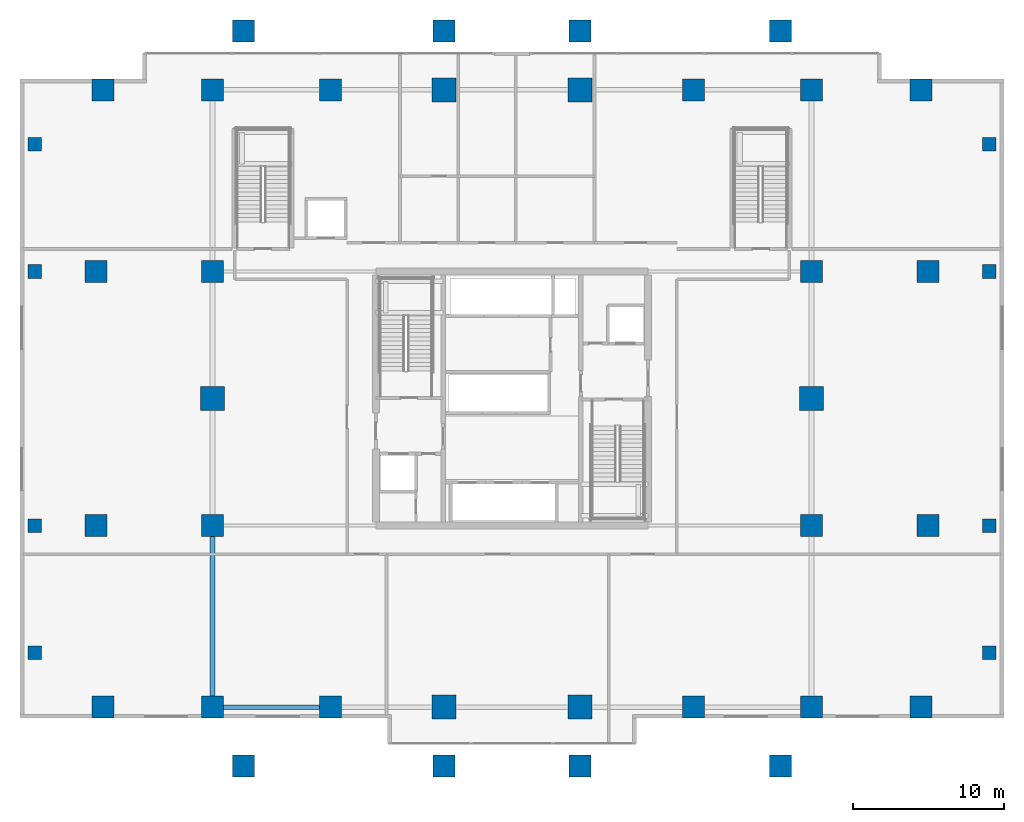
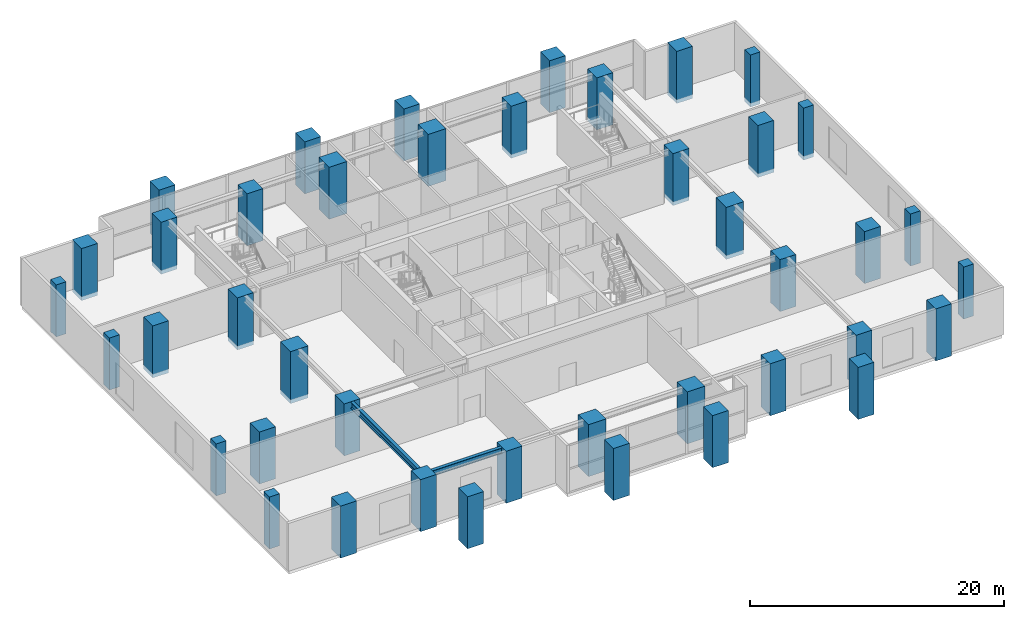
# One storey, part 1 of 20: 42 columns, 2 beams.
"""IFC4 building model written with IfcOpenShell, lengths in metres."""

from ifc_helpers import new_model, si_unit, direction, frame, origin, origin_2d, place, context, subcontext, project, spatial, rectangle, i_section, extrude, source, transform, mapped, material, material_profile, profile_set, type_object, element, save


model = new_model("IFC4")

# Units and contexts
model_context = context("Model", 3, precision=1e-05, world=origin(), true_north=direction((0.0, 1.0)))
body_context = subcontext(model_context, "Body", "Model", "MODEL_VIEW")
ifc_project = project(units=[si_unit("LENGTHUNIT", "METRE"), si_unit("AREAUNIT", "SQUARE_METRE"), si_unit("VOLUMEUNIT", "CUBIC_METRE"), si_unit("PLANEANGLEUNIT", "RADIAN"), si_unit("MASSUNIT", "GRAM", prefix="KILO")], contexts=[model_context])

# Site, building, storey
site_placement = place(None, origin())
site = spatial("IfcSite", under=ifc_project, at=site_placement, CompositionType="ELEMENT")
building_placement = place(site_placement, origin())
building = spatial("IfcBuilding", under=site, at=building_placement, Name="Serunith Strait Residences", CompositionType="ELEMENT")
storey_placement = place(building_placement, frame((0.0, 0.0, 5.5)))
storey = spatial("IfcBuildingStorey", under=building, at=storey_placement, Name="L01", CompositionType="ELEMENT", Elevation=5.5)

# Columns
ifc_material_1 = material(Name="Concrete C70/85", Category="concrete")
ifc_material_profile_1 = material_profile(ifc_material_1, rectangle(XDim=0.89990234375, YDim=0.89990234375, at=origin_2d()), Name="RC 900x900")
ifc_profile_set_1 = profile_set([ifc_material_profile_1], Name="Concrete C70/85")
column_type_1 = type_object("IfcColumnType", Name="COL-RC-900", PredefinedType="COLUMN", material=ifc_profile_set_1)
shared_shape_1 = source(origin(), body_context, "Body", "SweptSolid", [
    extrude(rectangle(XDim=0.89990234375, YDim=0.89990234375, at=origin_2d()), origin(), (0.0, 0.0, 1.0), 5.0),
])
for number, where, z_axis, x_axis, name in (
    (1, (0.85009765625, 8.39990234375, -0.3798828125), (0.0, 0.0, 1.0), (1.0, 0.0, 0.0), "L01 Podium Column PC-W1"),
    (2, (0.85009765625, 16.800048828125, -0.3798828125), (0.0, 0.0, 1.0), (1.0, 0.0, 0.0), "L01 Podium Column PC-W2"),
    (3, (0.85009765625, 33.60009765625, -0.3798828125), (0.0, 0.0, 1.0), (1.0, 0.0, 0.0), "L01 Podium Column PC-W3"),
    (4, (0.85009765625, 42.0, -0.3798828125), (0.0, 0.0, 1.0), (1.0, 0.0, 0.0), "L01 Podium Column PC-W4"),
    (5, (63.949951171875, 8.39990234375, -0.3798828125), (0.0, 0.0, 1.0), (1.0, 0.0, 0.0), "L01 Podium Column PC-E1"),
    (6, (63.949951171875, 16.800048828125, -0.3798828125), (0.0, 0.0, 1.0), (1.0, 0.0, 0.0), "L01 Podium Column PC-E2"),
    (7, (63.949951171875, 33.60009765625, -0.3798828125), (0.0, 0.0, 1.0), (1.0, 0.0, 0.0), "L01 Podium Column PC-E3"),
    (8, (63.949951171875, 42.0, -0.3798828125), (0.0, 0.0, 1.0), (1.0, 0.0, 0.0), "L01 Podium Column PC-E4"),
):
    element("IfcColumn", number, at=place(storey_placement, frame(where, z_axis=z_axis, x_axis=x_axis)), inside=storey, type_object=column_type_1, Name=name, PredefinedType="COLUMN", context=body_context, shape_type="MappedRepresentation", body=[
        mapped(shared_shape_1, transform((0.0, 0.0, 0.0), scale=1.0)),
    ])
ifc_material_2 = material(Name="Concrete C90/105", Category="concrete")
ifc_material_profile_2 = material_profile(ifc_material_2, rectangle(XDim=1.449951171875, YDim=1.449951171875, at=origin_2d()), Name="RC 1450x1450")
ifc_profile_set_2 = profile_set([ifc_material_profile_2], Name="Concrete C90/105")
column_type_2 = type_object("IfcColumnType", Name="COL-RC-1450", PredefinedType="COLUMN", material=ifc_profile_set_2)
shared_shape_2 = source(origin(), body_context, "Body", "SweptSolid", [
    extrude(rectangle(XDim=1.449951171875, YDim=1.449951171875, at=origin_2d()), origin(), (0.0, 0.0, 1.0), 5.0),
])
for number, where, z_axis, x_axis, name in (
    (9, (12.60009765625, 4.800048828125, -0.3798828125), (0.0, 0.0, 1.0), (1.0, 0.0, 0.0), "L01 Podium Column PC-S1"),
    (10, (20.39990234375, 4.800048828125, -0.3798828125), (0.0, 0.0, 1.0), (1.0, 0.0, 0.0), "L01 Podium Column PC-S2"),
    (11, (44.39990234375, 4.800048828125, -0.3798828125), (0.0, 0.0, 1.0), (1.0, 0.0, 0.0), "L01 Podium Column PC-S5"),
    (12, (52.199951171875, 4.800048828125, -0.3798828125), (0.0, 0.0, 1.0), (1.0, 0.0, 0.0), "L01 Podium Column PC-S6"),
    (13, (12.60009765625, 45.60009765625, -0.3798828125), (0.0, 0.0, 1.0), (1.0, 0.0, 0.0), "L01 Podium Column PC-N1"),
    (14, (20.39990234375, 45.60009765625, -0.3798828125), (0.0, 0.0, 1.0), (1.0, 0.0, 0.0), "L01 Podium Column PC-N2"),
    (15, (44.39990234375, 45.60009765625, -0.3798828125), (0.0, 0.0, 1.0), (1.0, 0.0, 0.0), "L01 Podium Column PC-N5"),
    (16, (52.199951171875, 45.60009765625, -0.3798828125), (0.0, 0.0, 1.0), (1.0, 0.0, 0.0), "L01 Podium Column PC-N6"),
    (17, (12.60009765625, 16.800048828125, -0.3798828125), (0.0, 0.0, 1.0), (1.0, 0.0, 0.0), "L01 Podium Column PC-MW1"),
    (18, (12.60009765625, 33.60009765625, -0.3798828125), (0.0, 0.0, 1.0), (1.0, 0.0, 0.0), "L01 Podium Column PC-MW3"),
    (19, (52.199951171875, 16.800048828125, -0.3798828125), (0.0, 0.0, 1.0), (1.0, 0.0, 0.0), "L01 Podium Column PC-ME1"),
    (20, (52.199951171875, 33.60009765625, -0.3798828125), (0.0, 0.0, 1.0), (1.0, 0.0, 0.0), "L01 Podium Column PC-ME3"),
    (21, (14.64990234375, 0.89990234375, -0.3798828125), (0.0, 0.0, 1.0), (1.0, 0.0, 0.0), "L01 Podium Column PC-RS1"),
    (22, (27.89990234375, 0.89990234375, -0.3798828125), (0.0, 0.0, 1.0), (1.0, 0.0, 0.0), "L01 Podium Column PC-RS2"),
    (23, (36.89990234375, 0.89990234375, -0.3798828125), (0.0, 0.0, 1.0), (1.0, 0.0, 0.0), "L01 Podium Column PC-RS3"),
    (24, (50.14990234375, 0.89990234375, -0.3798828125), (0.0, 0.0, 1.0), (1.0, 0.0, 0.0), "L01 Podium Column PC-RS4"),
    (25, (14.64990234375, 49.5, -0.3798828125), (0.0, 0.0, 1.0), (1.0, 0.0, 0.0), "L01 Podium Column PC-RN1"),
    (26, (27.89990234375, 49.5, -0.3798828125), (0.0, 0.0, 1.0), (1.0, 0.0, 0.0), "L01 Podium Column PC-RN2"),
    (27, (36.89990234375, 49.5, -0.3798828125), (0.0, 0.0, 1.0), (1.0, 0.0, 0.0), "L01 Podium Column PC-RN3"),
    (28, (50.14990234375, 49.5, -0.3798828125), (0.0, 0.0, 1.0), (1.0, 0.0, 0.0), "L01 Podium Column PC-RN4"),
    (29, (4.89990234375, 16.800048828125, -0.3798828125), (0.0, 0.0, 1.0), (1.0, 0.0, 0.0), "L01 Podium Column PC-RW1"),
    (30, (4.89990234375, 33.60009765625, -0.3798828125), (0.0, 0.0, 1.0), (1.0, 0.0, 0.0), "L01 Podium Column PC-RW2"),
    (31, (59.89990234375, 16.800048828125, -0.3798828125), (0.0, 0.0, 1.0), (1.0, 0.0, 0.0), "L01 Podium Column PC-RE1"),
    (32, (59.89990234375, 33.60009765625, -0.3798828125), (0.0, 0.0, 1.0), (1.0, 0.0, 0.0), "L01 Podium Column PC-RE2"),
    (33, (5.35009765625, 4.800048828125, -0.3798828125), (0.0, 0.0, 1.0), (1.0, 0.0, 0.0), "L01 Podium Column PC-RWS"),
    (34, (5.35009765625, 45.60009765625, -0.3798828125), (0.0, 0.0, 1.0), (1.0, 0.0, 0.0), "L01 Podium Column PC-RWN"),
    (35, (59.449951171875, 4.800048828125, -0.3798828125), (0.0, 0.0, 1.0), (1.0, 0.0, 0.0), "L01 Podium Column PC-RES"),
    (36, (59.449951171875, 45.60009765625, -0.3798828125), (0.0, 0.0, 1.0), (1.0, 0.0, 0.0), "L01 Podium Column PC-REN"),
):
    element("IfcColumn", number, at=place(storey_placement, frame(where, z_axis=z_axis, x_axis=x_axis)), inside=storey, type_object=column_type_2, Name=name, PredefinedType="COLUMN", context=body_context, shape_type="MappedRepresentation", body=[
        mapped(shared_shape_2, transform((0.0, 0.0, 0.0), scale=1.0)),
    ])
ifc_material_profile_3 = material_profile(ifc_material_2, rectangle(XDim=1.60009765625, YDim=1.60009765625, at=origin_2d()), Name="RC 1600x1600")
ifc_profile_set_3 = profile_set([ifc_material_profile_3], Name="Concrete C90/105")
column_type_3 = type_object("IfcColumnType", Name="COL-RC-1600", PredefinedType="COLUMN", material=ifc_profile_set_3)
shared_shape_3 = source(origin(), body_context, "Body", "SweptSolid", [
    extrude(rectangle(XDim=1.60009765625, YDim=1.60009765625, at=origin_2d()), origin(), (0.0, 0.0, 1.0), 5.0),
])
for number, where, z_axis, x_axis, name in (
    (37, (27.89990234375, 4.800048828125, -0.3798828125), (0.0, 0.0, 1.0), (1.0, 0.0, 0.0), "L01 Podium Column PC-S3"),
    (38, (36.89990234375, 4.800048828125, -0.3798828125), (0.0, 0.0, 1.0), (1.0, 0.0, 0.0), "L01 Podium Column PC-S4"),
    (39, (27.89990234375, 45.60009765625, -0.3798828125), (0.0, 0.0, 1.0), (1.0, 0.0, 0.0), "L01 Podium Column PC-N3"),
    (40, (36.89990234375, 45.60009765625, -0.3798828125), (0.0, 0.0, 1.0), (1.0, 0.0, 0.0), "L01 Podium Column PC-N4"),
    (41, (12.60009765625, 25.199951171875, -0.3798828125), (0.0, 0.0, 1.0), (1.0, 0.0, 0.0), "L01 Podium Column PC-MW2"),
    (42, (52.199951171875, 25.199951171875, -0.3798828125), (0.0, 0.0, 1.0), (1.0, 0.0, 0.0), "L01 Podium Column PC-ME2"),
):
    element("IfcColumn", number, at=place(storey_placement, frame(where, z_axis=z_axis, x_axis=x_axis)), inside=storey, type_object=column_type_3, Name=name, PredefinedType="COLUMN", context=body_context, shape_type="MappedRepresentation", body=[
        mapped(shared_shape_3, transform((0.0, 0.0, 0.0), scale=1.0)),
    ])

# Beams
ifc_material_3 = material(Name="Steel S355J2", Category="steel")
ifc_material_profile_4 = material_profile(ifc_material_3, i_section(OverallWidth=0.300048828125, OverallDepth=0.550048828125, WebThickness=0.014892578125, FlangeThickness=0.029052734375, FilletRadius=0.027099609375, at=origin_2d()), Name="HEB 550")
ifc_profile_set_4 = profile_set([ifc_material_profile_4], Name="Steel S355J2")
beam_type_1 = type_object("IfcBeamType", Name="BM-HEB550", PredefinedType="BEAM", material=ifc_profile_set_4)
shared_shape_4 = source(origin(), body_context, "Body", "SweptSolid", [
    extrude(i_section(OverallWidth=0.300048828125, OverallDepth=0.550048828125, WebThickness=0.014892578125, FlangeThickness=0.029052734375, FilletRadius=0.027099609375, at=origin_2d()), origin(), (0.0, 0.0, 1.0), 7.7998046875),
])
beam_1_placement = place(storey_placement, frame((12.60009765625, 4.800048828125, 4.342041015625), z_axis=(1.0, 0.0, 0.0), x_axis=(0.0, 1.0, 0.0)))
element("IfcBeam", 43, at=beam_1_placement, inside=storey, type_object=beam_type_1, Name="BM-L01-01", PredefinedType="BEAM", context=body_context, shape_type="MappedRepresentation", body=[
    mapped(shared_shape_4, transform((0.0, 0.0, 0.0), scale=1.0)),
])
ifc_material_profile_5 = material_profile(ifc_material_3, i_section(OverallWidth=0.300048828125, OverallDepth=0.60009765625, WebThickness=0.015380859375, FlangeThickness=0.030029296875, FilletRadius=0.027099609375, at=origin_2d()), Name="HEB 600")
ifc_profile_set_5 = profile_set([ifc_material_profile_5], Name="Steel S355J2")
beam_type_2 = type_object("IfcBeamType", Name="BM-HEB600", PredefinedType="BEAM", material=ifc_profile_set_5)
shared_shape_5 = source(origin(), body_context, "Body", "SweptSolid", [
    extrude(i_section(OverallWidth=0.300048828125, OverallDepth=0.60009765625, WebThickness=0.015380859375, FlangeThickness=0.030029296875, FilletRadius=0.027099609375, at=origin_2d()), origin(), (0.0, 0.0, 1.0), 12.0),
])
beam_2_placement = place(storey_placement, frame((12.60009765625, 4.800048828125, 4.31689453125), z_axis=(0.0, 1.0, 0.0), x_axis=(-1.0, 0.0, 0.0)))
element("IfcBeam", 44, at=beam_2_placement, inside=storey, type_object=beam_type_2, Name="BM-L01-11", PredefinedType="BEAM", context=body_context, shape_type="MappedRepresentation", body=[
    mapped(shared_shape_5, transform((0.0, 0.0, 0.0), scale=1.0)),
])

save(model, "model.ifc")
